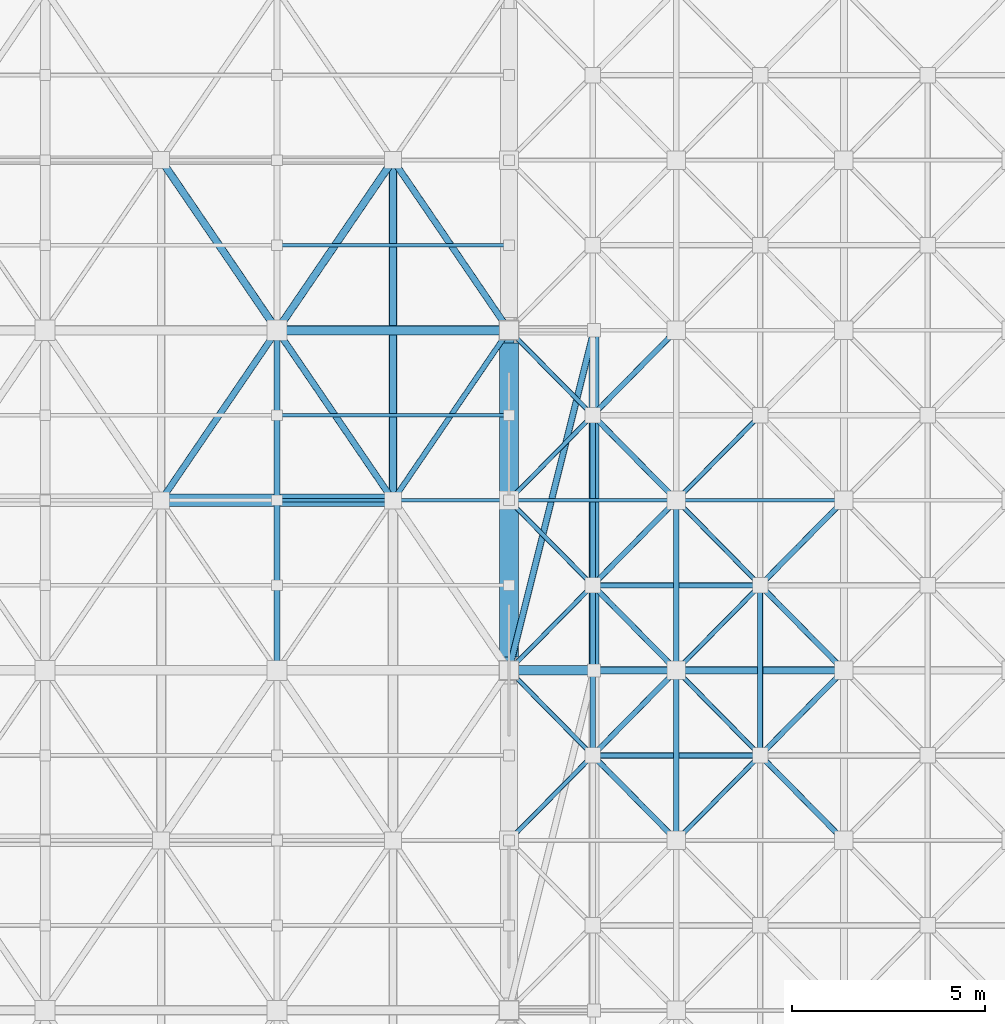
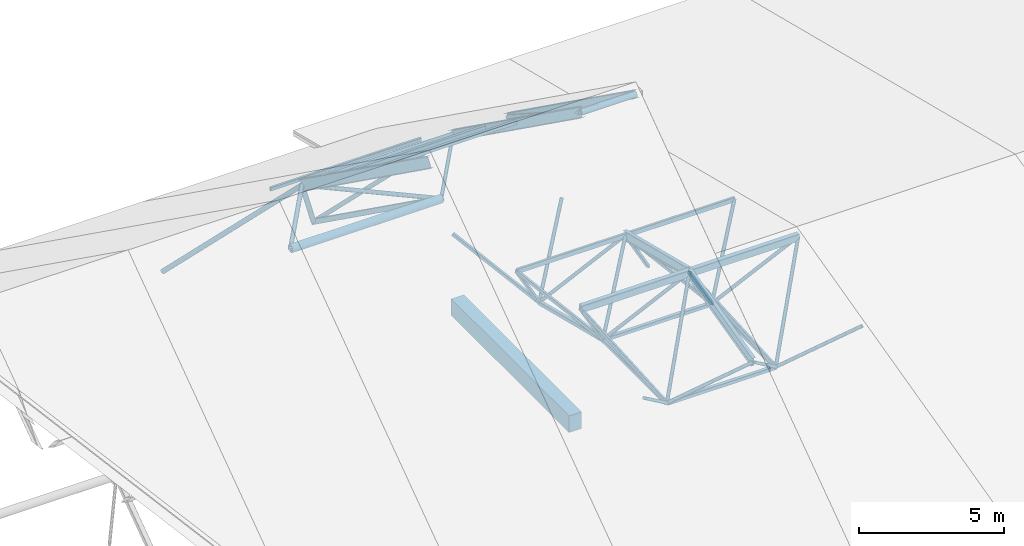
# One storey, part 28 of 55: 49 members, 1 beam.
"""IFC4 building model written with IfcOpenShell, lengths in metres."""

from ifc_helpers import new_model, si_unit, direction, frame, origin, origin_2d, place, context, subcontext, project, spatial, rectangle, hollow_rectangle, hollow_circle, i_section, extrude, material, material_profile, profile_set, type_object, element, save


model = new_model("IFC4")

# Units and contexts
model_context = context("Model", 3, precision=1e-05, world=origin(), true_north=direction((0.0, 1.0)))
body_context = subcontext(model_context, "Body", "Model", "MODEL_VIEW")
ifc_project = project(units=[si_unit("LENGTHUNIT", "METRE"), si_unit("AREAUNIT", "SQUARE_METRE"), si_unit("VOLUMEUNIT", "CUBIC_METRE"), si_unit("PLANEANGLEUNIT", "RADIAN"), si_unit("MASSUNIT", "GRAM", prefix="KILO")], contexts=[model_context])

# Site, building, storey
site_placement = place(None, origin())
site = spatial("IfcSite", under=ifc_project, at=site_placement, CompositionType="ELEMENT")
building_placement = place(site_placement, origin())
building = spatial("IfcBuilding", under=site, at=building_placement, Name="Varnakota Cinema and Media Centre", CompositionType="ELEMENT")
storey_placement = place(building_placement, frame((0.0, 0.0, 15.60009765625)))
storey = spatial("IfcBuildingStorey", under=building, at=storey_placement, Name="L04", CompositionType="ELEMENT", Elevation=15.60009765625)

# Beam
ifc_material_1 = material(Name="Concrete M35", Category="concrete")
ifc_material_profile_1 = material_profile(ifc_material_1, rectangle(XDim=0.5, YDim=0.699951171875, at=origin_2d()), Name="RCB 500x700")
ifc_profile_set_1 = profile_set([ifc_material_profile_1], Name="Concrete M35")
beam_type = type_object("IfcBeamType", Name="BM-RC-500x700", PredefinedType="BEAM", material=ifc_profile_set_1)
beam_placement = place(storey_placement, frame((135.0, 17.949951171875, -0.35009765625), z_axis=(0.0, 1.0, 0.0), x_axis=(-1.0, 0.0, 0.0)))
element("IfcBeam", 1, at=beam_placement, inside=storey, type_object=beam_type, Name="L04 girder V/3-4", PredefinedType="BEAM", context=body_context, shape_type="SweptSolid", body=[
    extrude(rectangle(XDim=0.5, YDim=0.699951171875, at=origin_2d()), origin(), (0.0, 0.0, 1.0), 8.125),
])

# Members
ifc_material_2 = material(Name="Structural steel S355 (YSt 355)", Category="steel")
ifc_material_profile_2 = material_profile(ifc_material_2, hollow_circle(Radius=0.06982421875, WallThickness=0.006103515625, at=origin_2d()), Name="CHS 139.7x6.0")
ifc_profile_set_2 = profile_set([ifc_material_profile_2], Name="Structural steel S355 (YSt 355)")
member_type_1 = type_object("IfcMemberType", Name="MEM-ST-CHS139_7x6_0", PredefinedType="CHORD", material=ifc_profile_set_2)
member_1_placement = place(storey_placement, frame((132.0, 22.0, 7.64990234375), z_axis=(0.552703271274, 0.810613472892, -0.193455140767), x_axis=(-0.826221523208, 0.563345359959, 0.0)))
element("IfcMember", 2, at=member_1_placement, inside=storey, type_object=member_type_1, Name="V1 space-frame diagonal 10.3.4", PredefinedType="CHORD", context=body_context, shape_type="SweptSolid", body=[
    extrude(hollow_circle(Radius=0.06982421875, WallThickness=0.006103515625, at=origin_2d()), origin(), (0.0, 0.0, 1.0), 5.427978515625),
])
member_2_placement = place(storey_placement, frame((137.166748046875, 15.39990234375, 1.25), z_axis=(0.562725896824, -0.571413461379, 0.597349329286), x_axis=(0.712502351494, 0.701669722246, 0.0)))
element("IfcMember", 3, at=member_2_placement, inside=storey, type_object=member_type_1, Name="V2 space-truss diagonal 1.4.2", PredefinedType="CHORD", context=body_context, shape_type="SweptSolid", body=[
    extrude(hollow_circle(Radius=0.06982421875, WallThickness=0.006103515625, at=origin_2d()), origin(), (0.0, 0.0, 1.0), 3.85009765625),
])
for number, where, z_axis, x_axis, name in (
    (4, (137.166748046875, 15.39990234375, 1.25), (0.471716078502, 0.479051757884, 0.74026573239), (-0.7125412777, 0.701630192889, 0.0), "V2 space-truss diagonal 1.4.4"),
    (5, (137.166748046875, 19.800048828125, 1.25), (0.471728090545, -0.479010798276, 0.740284582931), (0.712502351494, 0.701669722246, 0.0), "V2 space-truss diagonal 1.5.2"),
):
    element("IfcMember", number, at=place(storey_placement, frame(where, z_axis=z_axis, x_axis=x_axis)), inside=storey, type_object=member_type_1, Name=name, PredefinedType="CHORD", context=body_context, shape_type="SweptSolid", body=[
        extrude(hollow_circle(Radius=0.06982421875, WallThickness=0.006103515625, at=origin_2d()), origin(), (0.0, 0.0, 1.0), 4.5927734375),
    ])
member_3_placement = place(storey_placement, frame((137.166748046875, 19.800048828125, 1.25), z_axis=(0.562725896824, 0.571413461379, 0.597349329286), x_axis=(-0.712502351494, 0.701669722246, 0.0)))
element("IfcMember", 6, at=member_3_placement, inside=storey, type_object=member_type_1, Name="V2 space-truss diagonal 1.5.4", PredefinedType="CHORD", context=body_context, shape_type="SweptSolid", body=[
    extrude(hollow_circle(Radius=0.06982421875, WallThickness=0.006103515625, at=origin_2d()), origin(), (0.0, 0.0, 1.0), 3.85009765625),
])
member_4_placement = place(storey_placement, frame((137.166748046875, 24.199951171875, 0.14990234375), z_axis=(0.471728090545, -0.479010798276, 0.740284582931), x_axis=(0.712502351494, 0.701669722246, 0.0)))
element("IfcMember", 7, at=member_4_placement, inside=storey, type_object=member_type_1, Name="V2 space-truss diagonal 1.6.2", PredefinedType="CHORD", context=body_context, shape_type="SweptSolid", body=[
    extrude(hollow_circle(Radius=0.06982421875, WallThickness=0.006103515625, at=origin_2d()), origin(), (0.0, 0.0, 1.0), 4.5927734375),
])
for number, where, z_axis, x_axis, name in (
    (8, (137.166748046875, 24.199951171875, 0.14990234375), (0.562704581049, 0.571391816523, 0.59739011247), (-0.712502351494, 0.701669722246, 0.0), "V2 space-truss diagonal 1.6.4"),
    (9, (141.5, 15.39990234375, 1.25), (0.562769227034, -0.571393070964, 0.597328013371), (0.712462822052, 0.701709859695, 0.0), "V2 space-truss diagonal 2.4.2"),
):
    element("IfcMember", number, at=place(storey_placement, frame(where, z_axis=z_axis, x_axis=x_axis)), inside=storey, type_object=member_type_1, Name=name, PredefinedType="CHORD", context=body_context, shape_type="SweptSolid", body=[
        extrude(hollow_circle(Radius=0.06982421875, WallThickness=0.006103515625, at=origin_2d()), origin(), (0.0, 0.0, 1.0), 3.85009765625),
    ])
member_5_placement = place(storey_placement, frame((141.5, 15.39990234375, 1.25), z_axis=(0.471757405737, 0.479039745409, 0.740247169836), x_axis=(-0.712501750553, 0.701670332463, 0.0)))
element("IfcMember", 10, at=member_5_placement, inside=storey, type_object=member_type_1, Name="V2 space-truss diagonal 2.4.4", PredefinedType="CHORD", context=body_context, shape_type="SweptSolid", body=[
    extrude(hollow_circle(Radius=0.06982421875, WallThickness=0.006103515625, at=origin_2d()), origin(), (0.0, 0.0, 1.0), 4.593017578125),
])
member_6_placement = place(storey_placement, frame((141.5, 19.800048828125, 1.25), z_axis=(0.47176941823, -0.478998786216, 0.74026601896), x_axis=(0.712462822052, 0.701709859695, 0.0)))
element("IfcMember", 11, at=member_6_placement, inside=storey, type_object=member_type_1, Name="V2 space-truss diagonal 2.5.2", PredefinedType="CHORD", context=body_context, shape_type="SweptSolid", body=[
    extrude(hollow_circle(Radius=0.06982421875, WallThickness=0.006103515625, at=origin_2d()), origin(), (0.0, 0.0, 1.0), 4.5927734375),
])
member_7_placement = place(storey_placement, frame((141.5, 19.800048828125, 1.25), z_axis=(0.562769227034, 0.571393070964, 0.597328013371), x_axis=(-0.712462822052, 0.701709859695, 0.0)))
element("IfcMember", 12, at=member_7_placement, inside=storey, type_object=member_type_1, Name="V2 space-truss diagonal 2.5.4", PredefinedType="CHORD", context=body_context, shape_type="SweptSolid", body=[
    extrude(hollow_circle(Radius=0.06982421875, WallThickness=0.006103515625, at=origin_2d()), origin(), (0.0, 0.0, 1.0), 3.85009765625),
])
ifc_material_3 = material(Name="Structural steel S355 (YSt 355)", Category="steel")
ifc_material_profile_3 = material_profile(ifc_material_3, hollow_circle(Radius=0.084228515625, WallThickness=0.00634765625, at=origin_2d()), Name="CHS 168.3x6.3")
ifc_profile_set_3 = profile_set([ifc_material_profile_3], Name="Structural steel S355 (YSt 355)")
member_type_2 = type_object("IfcMemberType", Name="MEM-ST-CHS168_3x6_3", PredefinedType="BRACE", material=ifc_profile_set_3)
for number, where, z_axis, x_axis, name in (
    (13, (126.0, 22.0, 7.64990234375), (0.552703271274, 0.810613472892, -0.193455140767), (-0.826221523208, 0.563345359959, 0.0), "V1 space-frame diagonal 9.3.4"),
    (14, (132.0, 22.0, 7.64990234375), (-0.552703271274, 0.810613472892, -0.193455140767), (-0.826221523208, -0.563345359959, 0.0), "V1 space-frame diagonal 10.3.3"),
):
    element("IfcMember", number, at=place(storey_placement, frame(where, z_axis=z_axis, x_axis=x_axis)), inside=storey, type_object=member_type_2, Name=name, PredefinedType="BRACE", context=body_context, shape_type="SweptSolid", body=[
        extrude(hollow_circle(Radius=0.084228515625, WallThickness=0.00634765625, at=origin_2d()), origin(), (0.0, 0.0, 1.0), 5.427978515625),
    ])
member_8_placement = place(storey_placement, frame((132.0, 30.800048828125, 1.349853515625), z_axis=(0.40116493033, -0.588394819283, 0.702038628078), x_axis=(0.826236071711, 0.563324022037, 0.0)))
element("IfcMember", 15, at=member_8_placement, inside=storey, type_object=member_type_2, Name="V1 space-frame diagonal 10.4.2", PredefinedType="BRACE", context=body_context, shape_type="SweptSolid", body=[
    extrude(hollow_circle(Radius=0.084228515625, WallThickness=0.00634765625, at=origin_2d()), origin(), (0.0, 0.0, 1.0), 7.478271484375),
])
member_9_placement = place(storey_placement, frame((135.0, 17.60009765625, 12.89990234375), z_axis=(0.199201193835, 0.79680477534, -0.5704568646), x_axis=(-0.970142500145, 0.242535625036, 0.0)))
element("IfcMember", 16, at=member_9_placement, inside=storey, type_object=member_type_2, Name="V1 E gable space-frame diagonal 3", PredefinedType="BRACE", context=body_context, shape_type="SweptSolid", body=[
    extrude(hollow_circle(Radius=0.084228515625, WallThickness=0.00634765625, at=origin_2d()), origin(), (0.0, 0.0, 1.0), 11.0439453125),
])
ifc_material_4 = material(Name="Structural steel S355 (YSt 355)", Category="steel")
ifc_material_profile_4 = material_profile(ifc_material_4, hollow_circle(Radius=0.096923828125, WallThickness=0.00634765625, at=origin_2d()), Name="CHS 193.7x6.3")
ifc_profile_set_4 = profile_set([ifc_material_profile_4], Name="Structural steel S355 (YSt 355)")
member_type_3 = type_object("IfcMemberType", Name="MEM-ST-CHS193_7x6_3", PredefinedType="CHORD", material=ifc_profile_set_4)
for number, where, z_axis, x_axis, name in (
    (17, (126.0, 30.800048828125, 1.349853515625), (0.40116493033, -0.588394819283, 0.702038628078), (0.826236071711, 0.563324022037, 0.0), "V1 space-frame diagonal 9.4.2"),
    (18, (132.0, 30.800048828125, 1.349853515625), (-0.40116493033, -0.588394819283, 0.702038628078), (0.826236071711, -0.563324022037, 0.0), "V1 space-frame diagonal 10.4.1"),
):
    element("IfcMember", number, at=place(storey_placement, frame(where, z_axis=z_axis, x_axis=x_axis)), inside=storey, type_object=member_type_3, Name=name, PredefinedType="CHORD", context=body_context, shape_type="SweptSolid", body=[
        extrude(hollow_circle(Radius=0.096923828125, WallThickness=0.00634765625, at=origin_2d()), origin(), (0.0, 0.0, 1.0), 7.478271484375),
    ])
ifc_material_5 = material(Name="Structural steel S355 (YSt 355)", Category="steel")
ifc_material_profile_5 = material_profile(ifc_material_5, hollow_circle(Radius=0.122314453125, WallThickness=0.008056640625, at=origin_2d()), Name="CHS 244.5x8.0")
ifc_profile_set_5 = profile_set([ifc_material_profile_5], Name="Structural steel S355 (YSt 355)")
member_type_4 = type_object("IfcMemberType", Name="MEM-ST-CHS244_5x8_0", PredefinedType="CHORD", material=ifc_profile_set_5)
member_10_placement = place(storey_placement, frame((129.0, 26.39990234375, 6.599853515625), z_axis=(1.0, 0.0, 0.0), x_axis=(0.0, 1.0, 0.0)))
element("IfcMember", 19, at=member_10_placement, inside=storey, type_object=member_type_4, Name="V1 top longitudinal chord 10.4", PredefinedType="CHORD", context=body_context, shape_type="SweptSolid", body=[
    extrude(hollow_circle(Radius=0.122314453125, WallThickness=0.008056640625, at=origin_2d()), origin(), (0.0, 0.0, 1.0), 6.0),
])
member_11_placement = place(storey_placement, frame((135.0, 17.60009765625, 12.89990234375), z_axis=(1.0, 0.0, 0.0), x_axis=(0.0, 1.0, 0.0)))
element("IfcMember", 20, at=member_11_placement, inside=storey, type_object=member_type_4, Name="V1 E gable space-frame outrigger 3", PredefinedType="CHORD", context=body_context, shape_type="SweptSolid", body=[
    extrude(hollow_circle(Radius=0.122314453125, WallThickness=0.008056640625, at=origin_2d()), origin(), (0.0, 0.0, 1.0), 2.199951171875),
])
ifc_material_6 = material(Name="Structural steel S355 (YSt 355)", Category="steel")
ifc_material_profile_6 = material_profile(ifc_material_6, hollow_circle(Radius=0.161865234375, WallThickness=0.010009765625, at=origin_2d()), Name="CHS 323.9x10.0")
ifc_profile_set_6 = profile_set([ifc_material_profile_6], Name="Structural steel S355 (YSt 355)")
member_type_5 = type_object("IfcMemberType", Name="MEM-ST-CHS323_9x10_0", PredefinedType="CHORD", material=ifc_profile_set_6)
member_12_placement = place(storey_placement, frame((126.0, 22.0, 7.64990234375), z_axis=(1.0, 0.0, 0.0), x_axis=(0.0, 1.0, 0.0)))
element("IfcMember", 21, at=member_12_placement, inside=storey, type_object=member_type_5, Name="V1 bottom longitudinal chord 9.3", PredefinedType="CHORD", context=body_context, shape_type="SweptSolid", body=[
    extrude(hollow_circle(Radius=0.161865234375, WallThickness=0.010009765625, at=origin_2d()), origin(), (0.0, 0.0, 1.0), 6.0),
])
ifc_material_7 = material(Name="Structural steel Grade 350 (E350)", Category="steel")
ifc_material_profile_7 = material_profile(ifc_material_7, i_section(OverallWidth=0.25, OverallDepth=0.300048828125, WebThickness=0.009521484375, FlangeThickness=0.010498046875, FilletRadius=0.010986328125, at=origin_2d()), Name="ISHB 300")
ifc_profile_set_7 = profile_set([ifc_material_profile_7], Name="Structural steel Grade 350 (E350)")
member_type_6 = type_object("IfcMemberType", Name="MEM-ST-ISHB300", PredefinedType="CHORD", material=ifc_profile_set_7)
member_13_placement = place(storey_placement, frame((137.199951171875, 17.60009765625, 12.89990234375), z_axis=(0.0, 0.813100435345, -0.582123425093), x_axis=(-1.0, 0.0, 0.0)))
element("IfcMember", 22, at=member_13_placement, inside=storey, type_object=member_type_6, Name="V1 E gable barge rafter 3", PredefinedType="CHORD", context=body_context, shape_type="SweptSolid", body=[
    extrude(i_section(OverallWidth=0.25, OverallDepth=0.300048828125, WebThickness=0.009521484375, FlangeThickness=0.010498046875, FilletRadius=0.010986328125, at=origin_2d()), origin(), (0.0, 0.0, 1.0), 10.822509765625),
])
ifc_material_8 = material(Name="Structural steel Grade 350 (E350)", Category="steel")
ifc_material_profile_8 = material_profile(ifc_material_8, i_section(OverallWidth=0.25, OverallDepth=0.39990234375, WebThickness=0.010498046875, FlangeThickness=0.0126953125, FilletRadius=0.011962890625, at=origin_2d()), Name="ISHB 400")
ifc_profile_set_8 = profile_set([ifc_material_profile_8], Name="Structural steel Grade 350 (E350)")
member_type_7 = type_object("IfcMemberType", Name="MEM-ST-ISHB400", PredefinedType="CHORD", material=ifc_profile_set_8)
member_14_placement = place(storey_placement, frame((135.0, 17.60009765625, 12.89990234375), z_axis=(0.0, 0.813100435345, -0.582123425093), x_axis=(-1.0, 0.0, 0.0)))
element("IfcMember", 23, at=member_14_placement, inside=storey, type_object=member_type_7, Name="V1 top transverse chord 11.3", PredefinedType="CHORD", context=body_context, shape_type="SweptSolid", body=[
    extrude(i_section(OverallWidth=0.25, OverallDepth=0.39990234375, WebThickness=0.010498046875, FlangeThickness=0.0126953125, FilletRadius=0.011962890625, at=origin_2d()), origin(), (0.0, 0.0, 1.0), 10.822509765625),
])
ifc_material_9 = material(Name="Structural steel Grade 350 (E350)", Category="steel")
ifc_material_profile_9 = material_profile(ifc_material_9, i_section(OverallWidth=0.139892578125, OverallDepth=0.39990234375, WebThickness=0.0087890625, FlangeThickness=0.01611328125, FilletRadius=0.013916015625, at=origin_2d()), Name="ISMB 400")
ifc_profile_set_9 = profile_set([ifc_material_profile_9], Name="Structural steel Grade 350 (E350)")
member_type_8 = type_object("IfcMemberType", Name="MEM-ST-ISMB400", PredefinedType="RAFTER", material=ifc_profile_set_9)
member_15_placement = place(storey_placement, frame((139.333251953125, 13.199951171875, 3.5498046875), z_axis=(0.0, 0.970139333719, 0.242548290392), x_axis=(-1.0, 0.0, 0.0)))
element("IfcMember", 24, at=member_15_placement, inside=storey, type_object=member_type_8, Name="V2 truss rafter 2.4", PredefinedType="RAFTER", context=body_context, shape_type="SweptSolid", body=[
    extrude(i_section(OverallWidth=0.139892578125, OverallDepth=0.39990234375, WebThickness=0.0087890625, FlangeThickness=0.01611328125, FilletRadius=0.013916015625, at=origin_2d()), origin(), (0.0, 0.0, 1.0), 4.53564453125),
])
member_16_placement = place(storey_placement, frame((139.333251953125, 17.60009765625, 4.64990234375), z_axis=(0.0, 0.970136166796, -0.242560957029), x_axis=(-1.0, 0.0, 0.0)))
element("IfcMember", 25, at=member_16_placement, inside=storey, type_object=member_type_8, Name="V2 truss rafter 2.5", PredefinedType="RAFTER", context=body_context, shape_type="SweptSolid", body=[
    extrude(i_section(OverallWidth=0.139892578125, OverallDepth=0.39990234375, WebThickness=0.0087890625, FlangeThickness=0.01611328125, FilletRadius=0.013916015625, at=origin_2d()), origin(), (0.0, 0.0, 1.0), 4.535400390625),
])
ifc_material_10 = material(Name="Structural steel Grade 350 (E350)", Category="steel")
ifc_material_profile_10 = material_profile(ifc_material_10, i_section(OverallWidth=0.14990234375, OverallDepth=0.449951171875, WebThickness=0.009521484375, FlangeThickness=0.017333984375, FilletRadius=0.014892578125, at=origin_2d()), Name="ISMB 450")
ifc_profile_set_10 = profile_set([ifc_material_profile_10], Name="Structural steel Grade 350 (E350)")
member_type_9 = type_object("IfcMemberType", Name="MEM-ST-ISMB450", PredefinedType="RAFTER", material=ifc_profile_set_10)
member_17_placement = place(storey_placement, frame((129.0, 17.60009765625, 12.89990234375), z_axis=(0.0, 0.813100435345, -0.582123425093), x_axis=(-1.0, 0.0, 0.0)))
element("IfcMember", 26, at=member_17_placement, inside=storey, type_object=member_type_9, Name="V1 top transverse chord 10.3", PredefinedType="RAFTER", context=body_context, shape_type="SweptSolid", body=[
    extrude(i_section(OverallWidth=0.14990234375, OverallDepth=0.449951171875, WebThickness=0.009521484375, FlangeThickness=0.017333984375, FilletRadius=0.014892578125, at=origin_2d()), origin(), (0.0, 0.0, 1.0), 10.822509765625),
])
ifc_material_11 = material(Name="Structural steel S355 (YSt 355)", Category="steel")
ifc_material_profile_11 = material_profile(ifc_material_11, hollow_rectangle(XDim=0.10009765625, YDim=0.14990234375, WallThickness=0.006103515625, InnerFilletRadius=0.006103515625, OuterFilletRadius=0.011962890625, at=origin_2d()), Name="RHS 150x100x6")
ifc_profile_set_11 = profile_set([ifc_material_profile_11], Name="Structural steel S355 (YSt 355)")
member_type_10 = type_object("IfcMemberType", Name="MEM-ST-RHS150x100x6", PredefinedType="PURLIN", material=ifc_profile_set_11)
for number, where, z_axis, x_axis, name in (
    (27, (129.0, 22.0, 9.829833984375), (1.0, 0.0, 0.0), (0.0, 1.0, 0.0), "V1 roof purlin 8.10"),
    (28, (129.0, 28.60009765625, 5.10498046875), (1.0, 0.0, 0.0), (0.0, 1.0, 0.0), "V1 roof purlin 10.10"),
):
    element("IfcMember", number, at=place(storey_placement, frame(where, z_axis=z_axis, x_axis=x_axis)), inside=storey, type_object=member_type_10, Name=name, PredefinedType="PURLIN", context=body_context, shape_type="SweptSolid", body=[
        extrude(hollow_rectangle(XDim=0.10009765625, YDim=0.14990234375, WallThickness=0.006103515625, InnerFilletRadius=0.006103515625, OuterFilletRadius=0.011962890625, at=origin_2d()), origin(), (0.0, 0.0, 1.0), 6.0),
    ])
ifc_material_12 = material(Name="Structural steel S355 (YSt 355)", Category="steel")
ifc_material_profile_12 = material_profile(ifc_material_12, hollow_rectangle(XDim=0.10009765625, YDim=0.199951171875, WallThickness=0.006103515625, InnerFilletRadius=0.006103515625, OuterFilletRadius=0.011962890625, at=origin_2d()), Name="RHS 200x100x6")
ifc_profile_set_12 = profile_set([ifc_material_profile_12], Name="Structural steel S355 (YSt 355)")
member_type_11 = type_object("IfcMemberType", Name="MEM-ST-RHS200x100x6", PredefinedType="PURLIN", material=ifc_profile_set_12)
member_18_placement = place(storey_placement, frame((129.0, 24.199951171875, 8.2548828125), z_axis=(1.0, 0.0, 0.0), x_axis=(0.0, 1.0, 0.0)))
element("IfcMember", 29, at=member_18_placement, inside=storey, type_object=member_type_11, Name="V1 roof purlin 9.10", PredefinedType="PURLIN", context=body_context, shape_type="SweptSolid", body=[
    extrude(hollow_rectangle(XDim=0.10009765625, YDim=0.199951171875, WallThickness=0.006103515625, InnerFilletRadius=0.006103515625, OuterFilletRadius=0.011962890625, at=origin_2d()), origin(), (0.0, 0.0, 1.0), 6.0),
])
member_19_placement = place(storey_placement, frame((135.0, 22.0, 3.5498046875), z_axis=(1.0, 0.0, 0.0), x_axis=(0.0, 1.0, 0.0)))
element("IfcMember", 30, at=member_19_placement, inside=storey, type_object=member_type_11, Name="V2 top chord 1.6", PredefinedType="PURLIN", context=body_context, shape_type="SweptSolid", body=[
    extrude(hollow_rectangle(XDim=0.10009765625, YDim=0.199951171875, WallThickness=0.006103515625, InnerFilletRadius=0.006103515625, OuterFilletRadius=0.011962890625, at=origin_2d()), origin(), (0.0, 0.0, 1.0), 4.333251953125),
])
member_20_placement = place(storey_placement, frame((139.333251953125, 22.0, 3.5498046875), z_axis=(1.0, 0.0, 0.0), x_axis=(0.0, 1.0, 0.0)))
element("IfcMember", 31, at=member_20_placement, inside=storey, type_object=member_type_11, Name="V2 top chord 2.6", PredefinedType="PURLIN", context=body_context, shape_type="SweptSolid", body=[
    extrude(hollow_rectangle(XDim=0.10009765625, YDim=0.199951171875, WallThickness=0.006103515625, InnerFilletRadius=0.006103515625, OuterFilletRadius=0.011962890625, at=origin_2d()), origin(), (0.0, 0.0, 1.0), 4.33349609375),
])
ifc_material_13 = material(Name="Structural steel S355 (YSt 355)", Category="steel")
ifc_material_profile_13 = material_profile(ifc_material_13, hollow_rectangle(XDim=0.199951171875, YDim=0.300048828125, WallThickness=0.010009765625, InnerFilletRadius=0.010009765625, OuterFilletRadius=0.02001953125, at=origin_2d()), Name="RHS 300x200x10")
ifc_profile_set_13 = profile_set([ifc_material_profile_13], Name="Structural steel S355 (YSt 355)")
member_type_12 = type_object("IfcMemberType", Name="MEM-ST-RHS300x200x10", PredefinedType="PURLIN", material=ifc_profile_set_13)
member_21_placement = place(storey_placement, frame((135.0, 17.60009765625, 4.64990234375), z_axis=(1.0, 0.0, 0.0), x_axis=(0.0, 1.0, 0.0)))
element("IfcMember", 32, at=member_21_placement, inside=storey, type_object=member_type_12, Name="V2 top chord 1.5", PredefinedType="PURLIN", context=body_context, shape_type="SweptSolid", body=[
    extrude(hollow_rectangle(XDim=0.199951171875, YDim=0.300048828125, WallThickness=0.010009765625, InnerFilletRadius=0.010009765625, OuterFilletRadius=0.02001953125, at=origin_2d()), origin(), (0.0, 0.0, 1.0), 4.333251953125),
])
member_22_placement = place(storey_placement, frame((139.333251953125, 17.60009765625, 4.64990234375), z_axis=(1.0, 0.0, 0.0), x_axis=(0.0, 1.0, 0.0)))
element("IfcMember", 33, at=member_22_placement, inside=storey, type_object=member_type_12, Name="V2 top chord 2.5", PredefinedType="PURLIN", context=body_context, shape_type="SweptSolid", body=[
    extrude(hollow_rectangle(XDim=0.199951171875, YDim=0.300048828125, WallThickness=0.010009765625, InnerFilletRadius=0.010009765625, OuterFilletRadius=0.02001953125, at=origin_2d()), origin(), (0.0, 0.0, 1.0), 4.33349609375),
])
ifc_material_14 = material(Name="Structural steel S355 (YSt 355)", Category="steel")
ifc_material_profile_14 = material_profile(ifc_material_14, hollow_rectangle(XDim=0.1201171875, YDim=0.1201171875, WallThickness=0.006103515625, InnerFilletRadius=0.006103515625, OuterFilletRadius=0.011962890625, at=origin_2d()), Name="SHS 120x120x6")
ifc_profile_set_14 = profile_set([ifc_material_profile_14], Name="Structural steel S355 (YSt 355)")
member_type_13 = type_object("IfcMemberType", Name="MEM-ST-SHS120x120x6", PredefinedType="STRUT", material=ifc_profile_set_14)
member_23_placement = place(storey_placement, frame((137.166748046875, 15.39990234375, 1.25), z_axis=(-0.562769227034, -0.571393070964, 0.597328013371), x_axis=(0.712462822052, -0.701709859695, 0.0)))
element("IfcMember", 34, at=member_23_placement, inside=storey, type_object=member_type_13, Name="V2 space-truss diagonal 1.4.1", PredefinedType="STRUT", context=body_context, shape_type="SweptSolid", body=[
    extrude(hollow_rectangle(XDim=0.1201171875, YDim=0.1201171875, WallThickness=0.006103515625, InnerFilletRadius=0.006103515625, OuterFilletRadius=0.011962890625, at=origin_2d()), origin(), (0.0, 0.0, 1.0), 3.85009765625),
])
member_24_placement = place(storey_placement, frame((137.166748046875, 15.39990234375, 1.25), z_axis=(-0.471757405737, 0.479039745409, 0.740247169836), x_axis=(-0.712501750553, -0.701670332463, 0.0)))
element("IfcMember", 35, at=member_24_placement, inside=storey, type_object=member_type_13, Name="V2 space-truss diagonal 1.4.3", PredefinedType="STRUT", context=body_context, shape_type="SweptSolid", body=[
    extrude(hollow_rectangle(XDim=0.1201171875, YDim=0.1201171875, WallThickness=0.006103515625, InnerFilletRadius=0.006103515625, OuterFilletRadius=0.011962890625, at=origin_2d()), origin(), (0.0, 0.0, 1.0), 4.593017578125),
])
member_25_placement = place(storey_placement, frame((137.166748046875, 19.800048828125, 1.25), z_axis=(-0.47176941823, -0.478998786216, 0.74026601896), x_axis=(0.712462822052, -0.701709859695, 0.0)))
element("IfcMember", 36, at=member_25_placement, inside=storey, type_object=member_type_13, Name="V2 space-truss diagonal 1.5.1", PredefinedType="STRUT", context=body_context, shape_type="SweptSolid", body=[
    extrude(hollow_rectangle(XDim=0.1201171875, YDim=0.1201171875, WallThickness=0.006103515625, InnerFilletRadius=0.006103515625, OuterFilletRadius=0.011962890625, at=origin_2d()), origin(), (0.0, 0.0, 1.0), 4.5927734375),
])
member_26_placement = place(storey_placement, frame((137.166748046875, 19.800048828125, 1.25), z_axis=(-0.562769227034, 0.571393070964, 0.597328013371), x_axis=(-0.712462822052, -0.701709859695, 0.0)))
element("IfcMember", 37, at=member_26_placement, inside=storey, type_object=member_type_13, Name="V2 space-truss diagonal 1.5.3", PredefinedType="STRUT", context=body_context, shape_type="SweptSolid", body=[
    extrude(hollow_rectangle(XDim=0.1201171875, YDim=0.1201171875, WallThickness=0.006103515625, InnerFilletRadius=0.006103515625, OuterFilletRadius=0.011962890625, at=origin_2d()), origin(), (0.0, 0.0, 1.0), 3.85009765625),
])
member_27_placement = place(storey_placement, frame((137.166748046875, 24.199951171875, 0.14990234375), z_axis=(-0.47176941823, -0.478998786216, 0.74026601896), x_axis=(0.712462822052, -0.701709859695, 0.0)))
element("IfcMember", 38, at=member_27_placement, inside=storey, type_object=member_type_13, Name="V2 space-truss diagonal 1.6.1", PredefinedType="STRUT", context=body_context, shape_type="SweptSolid", body=[
    extrude(hollow_rectangle(XDim=0.1201171875, YDim=0.1201171875, WallThickness=0.006103515625, InnerFilletRadius=0.006103515625, OuterFilletRadius=0.011962890625, at=origin_2d()), origin(), (0.0, 0.0, 1.0), 4.5927734375),
])
member_28_placement = place(storey_placement, frame((137.166748046875, 24.199951171875, 0.14990234375), z_axis=(-0.562747911139, 0.571371428425, 0.597368796714), x_axis=(-0.712462822052, -0.701709859695, 0.0)))
element("IfcMember", 39, at=member_28_placement, inside=storey, type_object=member_type_13, Name="V2 space-truss diagonal 1.6.3", PredefinedType="STRUT", context=body_context, shape_type="SweptSolid", body=[
    extrude(hollow_rectangle(XDim=0.1201171875, YDim=0.1201171875, WallThickness=0.006103515625, InnerFilletRadius=0.006103515625, OuterFilletRadius=0.011962890625, at=origin_2d()), origin(), (0.0, 0.0, 1.0), 3.850341796875),
])
member_29_placement = place(storey_placement, frame((141.5, 15.39990234375, 1.25), z_axis=(-0.562769227034, -0.571393070964, 0.597328013371), x_axis=(0.712462822052, -0.701709859695, 0.0)))
element("IfcMember", 40, at=member_29_placement, inside=storey, type_object=member_type_13, Name="V2 space-truss diagonal 2.4.1", PredefinedType="STRUT", context=body_context, shape_type="SweptSolid", body=[
    extrude(hollow_rectangle(XDim=0.1201171875, YDim=0.1201171875, WallThickness=0.006103515625, InnerFilletRadius=0.006103515625, OuterFilletRadius=0.011962890625, at=origin_2d()), origin(), (0.0, 0.0, 1.0), 3.85009765625),
])
member_30_placement = place(storey_placement, frame((141.5, 15.39990234375, 1.25), z_axis=(-0.471757405737, 0.479039745409, 0.740247169836), x_axis=(-0.712501750553, -0.701670332463, 0.0)))
element("IfcMember", 41, at=member_30_placement, inside=storey, type_object=member_type_13, Name="V2 space-truss diagonal 2.4.3", PredefinedType="STRUT", context=body_context, shape_type="SweptSolid", body=[
    extrude(hollow_rectangle(XDim=0.1201171875, YDim=0.1201171875, WallThickness=0.006103515625, InnerFilletRadius=0.006103515625, OuterFilletRadius=0.011962890625, at=origin_2d()), origin(), (0.0, 0.0, 1.0), 4.593017578125),
])
member_31_placement = place(storey_placement, frame((141.5, 19.800048828125, 1.25), z_axis=(-0.47176941823, -0.478998786216, 0.74026601896), x_axis=(0.712462822052, -0.701709859695, 0.0)))
element("IfcMember", 42, at=member_31_placement, inside=storey, type_object=member_type_13, Name="V2 space-truss diagonal 2.5.1", PredefinedType="STRUT", context=body_context, shape_type="SweptSolid", body=[
    extrude(hollow_rectangle(XDim=0.1201171875, YDim=0.1201171875, WallThickness=0.006103515625, InnerFilletRadius=0.006103515625, OuterFilletRadius=0.011962890625, at=origin_2d()), origin(), (0.0, 0.0, 1.0), 4.5927734375),
])
member_32_placement = place(storey_placement, frame((141.5, 19.800048828125, 1.25), z_axis=(-0.562769227034, 0.571393070964, 0.597328013371), x_axis=(-0.712462822052, -0.701709859695, 0.0)))
element("IfcMember", 43, at=member_32_placement, inside=storey, type_object=member_type_13, Name="V2 space-truss diagonal 2.5.3", PredefinedType="STRUT", context=body_context, shape_type="SweptSolid", body=[
    extrude(hollow_rectangle(XDim=0.1201171875, YDim=0.1201171875, WallThickness=0.006103515625, InnerFilletRadius=0.006103515625, OuterFilletRadius=0.011962890625, at=origin_2d()), origin(), (0.0, 0.0, 1.0), 3.85009765625),
])
member_33_placement = place(storey_placement, frame((141.5, 24.199951171875, 0.14990234375), z_axis=(-0.47176941823, -0.478998786216, 0.74026601896), x_axis=(0.712462822052, -0.701709859695, 0.0)))
element("IfcMember", 44, at=member_33_placement, inside=storey, type_object=member_type_13, Name="V2 space-truss diagonal 2.6.1", PredefinedType="STRUT", context=body_context, shape_type="SweptSolid", body=[
    extrude(hollow_rectangle(XDim=0.1201171875, YDim=0.1201171875, WallThickness=0.006103515625, InnerFilletRadius=0.006103515625, OuterFilletRadius=0.011962890625, at=origin_2d()), origin(), (0.0, 0.0, 1.0), 4.5927734375),
])
ifc_material_15 = material(Name="Structural steel S355 (YSt 355)", Category="steel")
ifc_material_profile_15 = material_profile(ifc_material_15, hollow_rectangle(XDim=0.14990234375, YDim=0.14990234375, WallThickness=0.008056640625, InnerFilletRadius=0.008056640625, OuterFilletRadius=0.01611328125, at=origin_2d()), Name="SHS 150x150x8")
ifc_profile_set_15 = profile_set([ifc_material_profile_15], Name="Structural steel S355 (YSt 355)")
member_type_14 = type_object("IfcMemberType", Name="MEM-ST-SHS150x150x8", PredefinedType="STRUT", material=ifc_profile_set_15)
for number, where, z_axis, x_axis, name in (
    (45, (137.166748046875, 15.39990234375, 1.25), (1.0, 0.0, 0.0), (0.0, 1.0, 0.0), "V2 bottom longitudinal chord 1.4"),
    (46, (137.166748046875, 19.800048828125, 1.25), (1.0, 0.0, 0.0), (0.0, 1.0, 0.0), "V2 bottom longitudinal chord 1.5"),
):
    element("IfcMember", number, at=place(storey_placement, frame(where, z_axis=z_axis, x_axis=x_axis)), inside=storey, type_object=member_type_14, Name=name, PredefinedType="STRUT", context=body_context, shape_type="SweptSolid", body=[
        extrude(hollow_rectangle(XDim=0.14990234375, YDim=0.14990234375, WallThickness=0.008056640625, InnerFilletRadius=0.008056640625, OuterFilletRadius=0.01611328125, at=origin_2d()), origin(), (0.0, 0.0, 1.0), 4.333251953125),
    ])
member_34_placement = place(storey_placement, frame((137.166748046875, 15.39990234375, 1.25), z_axis=(0.0, 1.0, 0.0), x_axis=(-1.0, 0.0, 0.0)))
element("IfcMember", 47, at=member_34_placement, inside=storey, type_object=member_type_14, Name="V2 bottom transverse chord 1.4", PredefinedType="STRUT", context=body_context, shape_type="SweptSolid", body=[
    extrude(hollow_rectangle(XDim=0.14990234375, YDim=0.14990234375, WallThickness=0.008056640625, InnerFilletRadius=0.008056640625, OuterFilletRadius=0.01611328125, at=origin_2d()), origin(), (0.0, 0.0, 1.0), 4.400146484375),
])
member_35_placement = place(storey_placement, frame((137.166748046875, 19.800048828125, 1.25), z_axis=(0.0, 0.970136166796, -0.242560957029), x_axis=(-1.0, 0.0, 0.0)))
element("IfcMember", 48, at=member_35_placement, inside=storey, type_object=member_type_14, Name="V2 bottom transverse chord 1.5", PredefinedType="STRUT", context=body_context, shape_type="SweptSolid", body=[
    extrude(hollow_rectangle(XDim=0.14990234375, YDim=0.14990234375, WallThickness=0.008056640625, InnerFilletRadius=0.008056640625, OuterFilletRadius=0.01611328125, at=origin_2d()), origin(), (0.0, 0.0, 1.0), 4.535400390625),
])
member_36_placement = place(storey_placement, frame((141.5, 15.39990234375, 1.25), z_axis=(0.0, 1.0, 0.0), x_axis=(-1.0, 0.0, 0.0)))
element("IfcMember", 49, at=member_36_placement, inside=storey, type_object=member_type_14, Name="V2 bottom transverse chord 2.4", PredefinedType="STRUT", context=body_context, shape_type="SweptSolid", body=[
    extrude(hollow_rectangle(XDim=0.14990234375, YDim=0.14990234375, WallThickness=0.008056640625, InnerFilletRadius=0.008056640625, OuterFilletRadius=0.01611328125, at=origin_2d()), origin(), (0.0, 0.0, 1.0), 4.400146484375),
])
ifc_material_16 = material(Name="Structural steel S355 (YSt 355)", Category="steel")
ifc_material_profile_16 = material_profile(ifc_material_16, hollow_rectangle(XDim=0.199951171875, YDim=0.199951171875, WallThickness=0.010009765625, InnerFilletRadius=0.010009765625, OuterFilletRadius=0.02001953125, at=origin_2d()), Name="SHS 200x200x10")
ifc_profile_set_16 = profile_set([ifc_material_profile_16], Name="Structural steel S355 (YSt 355)")
member_type_15 = type_object("IfcMemberType", Name="MEM-ST-SHS200x200x10", PredefinedType="STRUT", material=ifc_profile_set_16)
member_37_placement = place(storey_placement, frame((132.0, 22.0, 7.64990234375), z_axis=(0.0, 0.813108079498, -0.582112747717), x_axis=(-1.0, 0.0, 0.0)))
element("IfcMember", 50, at=member_37_placement, inside=storey, type_object=member_type_15, Name="V1 bottom transverse chord 10.3", PredefinedType="STRUT", context=body_context, shape_type="SweptSolid", body=[
    extrude(hollow_rectangle(XDim=0.199951171875, YDim=0.199951171875, WallThickness=0.010009765625, InnerFilletRadius=0.010009765625, OuterFilletRadius=0.02001953125, at=origin_2d()), origin(), (0.0, 0.0, 1.0), 10.82275390625),
])

save(model, "model.ifc")
